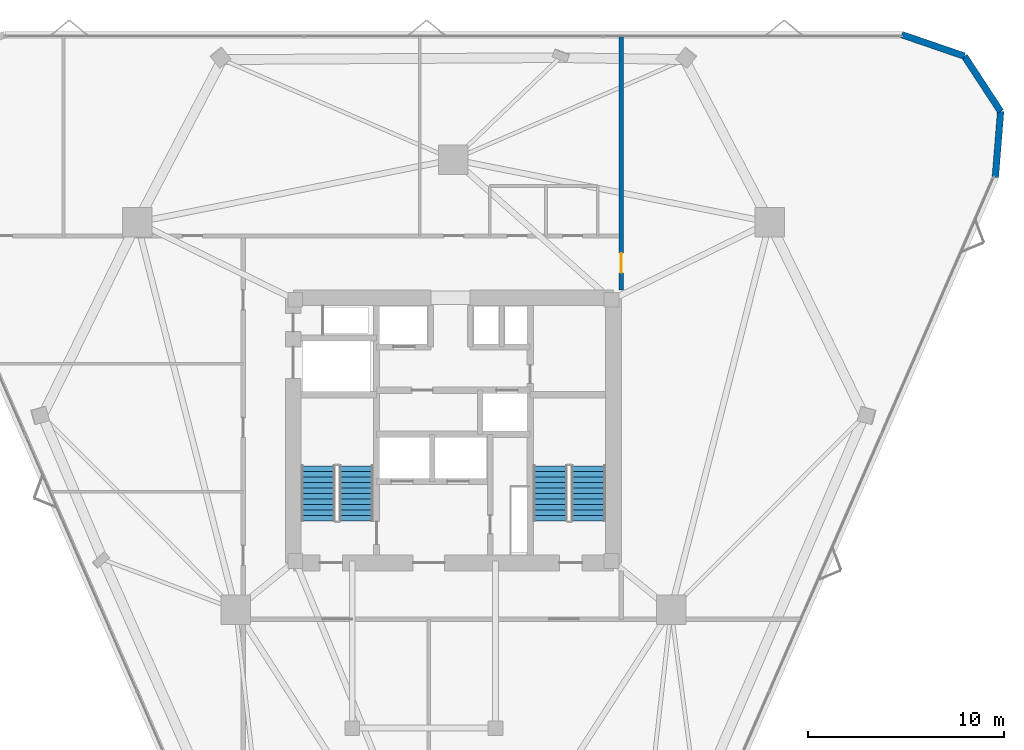
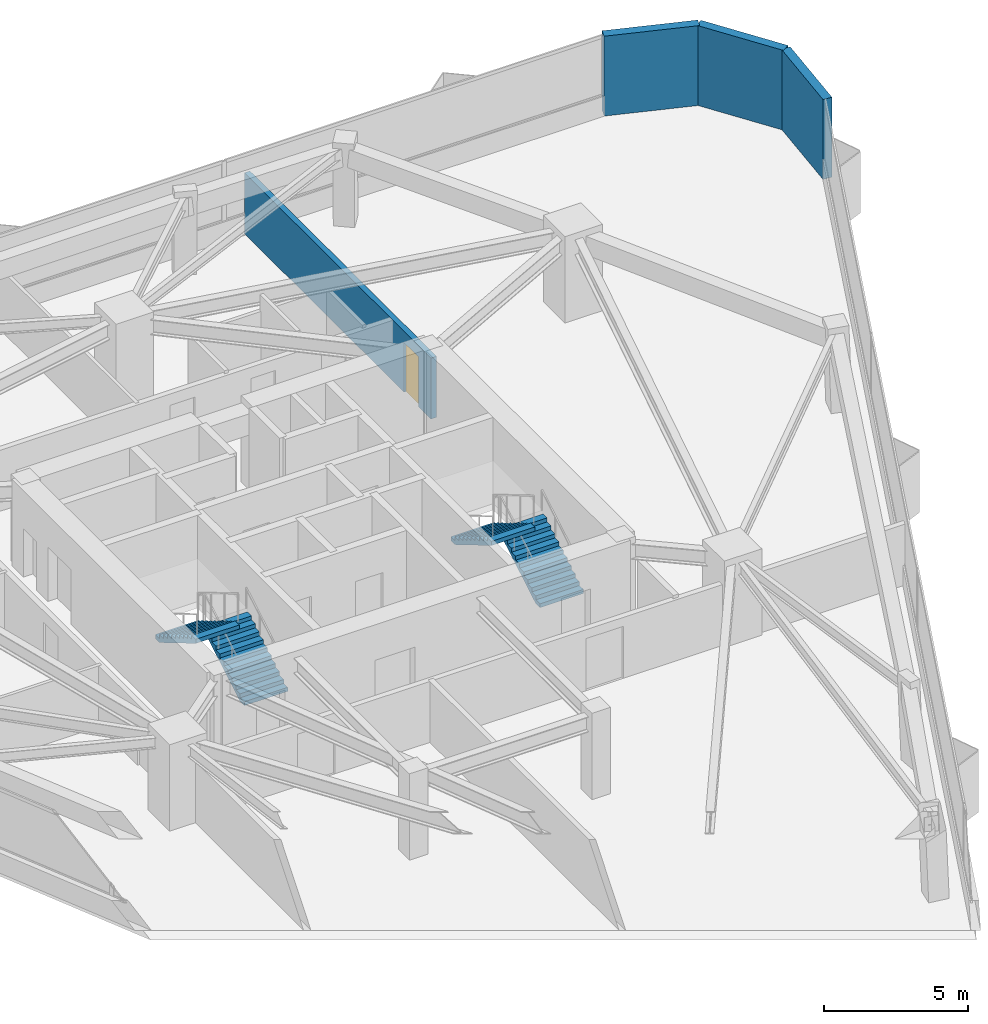
# One storey, part 10 of 11: 4 stair flights, 4 walls, 1 door, 1 opening, 2 elements without a shape of their own.
"""IFC4 building model written with IfcOpenShell, lengths in metres."""

from ifc_helpers import new_model, si_unit, direction, frame, frame_2d, origin, place, context, subcontext, project, spatial, polyline, rectangle, outline, extrude, material, layer, layer_set, type_object, element, fill, aggregate, save


model = new_model("IFC4")

# Units and contexts
model_context = context("Model", 3, precision=1e-05, world=origin(), true_north=direction((0.0, 1.0)))
body_context = subcontext(model_context, "Body", "Model", "MODEL_VIEW")
ifc_project = project(units=[si_unit("LENGTHUNIT", "METRE"), si_unit("AREAUNIT", "SQUARE_METRE"), si_unit("VOLUMEUNIT", "CUBIC_METRE"), si_unit("PLANEANGLEUNIT", "RADIAN"), si_unit("MASSUNIT", "GRAM", prefix="KILO")], contexts=[model_context])

# Site, building, storey
site_placement = place(None, origin())
site = spatial("IfcSite", under=ifc_project, at=site_placement, CompositionType="ELEMENT")
building_placement = place(site_placement, origin())
building = spatial("IfcBuilding", under=site, at=building_placement, Name="Talyreon Biosciences Tower", CompositionType="ELEMENT")
storey_placement = place(building_placement, frame((0.0, 0.0, 160.050048828125)))
storey = spatial("IfcBuildingStorey", under=building, at=storey_placement, Name="L42", CompositionType="ELEMENT", Elevation=160.050048828125)

# Wall, opening, door
ifc_material_1 = material(Name="Gypsum fireboard acoustic stud", Category="gypsum")
ifc_layer_1 = layer(ifc_material_1, 0.219970703125)
ifc_layer_set_1 = layer_set([ifc_layer_1], Name="Gypsum fireboard acoustic stud")
wall_type_1 = type_object("IfcWallType", Name="CorridorRatedPartition_220", PredefinedType="PARTITIONING", material=ifc_layer_set_1)
wall_placement = place(storey_placement, frame((74.550048828125, 75.14990234375, 0.0), z_axis=(0.0, 0.0, 1.0), x_axis=(0.0, 1.0, 0.0)))
wall = element("IfcWall", 1, at=wall_placement, inside=storey, type_object=wall_type_1, Name="L42 Interior Wall IW-L42-ECAP-N", PredefinedType="PARTITIONING", context=body_context, shape_type="SweptSolid", body=[
    extrude(rectangle(XDim=12.91748046875, YDim=0.219970703125, at=frame_2d((6.458740234375, 0.0))), origin(), (0.0, 0.0, 1.0), 2.574951171875),
])
opening_placement = place(wall_placement, frame((0.875, 0.0, 0.0)))
opening = element("IfcOpeningElement", 2, at=opening_placement, cuts=wall, Name="Opening DR-L42-E1A", PredefinedType="OPENING", context=body_context, shape_type="SweptSolid", body=[
    extrude(rectangle(XDim=1.0, YDim=2.10009765625, at=frame_2d((0.5, 1.050048828125))), frame((0.0, 0.119873046875, 0.0), z_axis=(0.0, -1.0, 0.0), x_axis=(1.0, 0.0, 0.0)), (0.0, 0.0, 1.0), 0.239990234375),
])
ifc_material_2 = material(Name="Acoustic oak veneer office door", Category="wood")
door_type = type_object("IfcDoorType", Name="WriteupOfficeDoor_1000x2100", OperationType="NOTDEFINED", PredefinedType="DOOR", material=ifc_material_2)
door_placement = place(opening_placement, origin())
door = element("IfcDoor", 3, at=door_placement, inside=storey, type_object=door_type, Name="L42 Interior Door DR-L42-E1A", OperationType="SINGLE_SWING_LEFT", OverallHeight=2.10009765625, OverallWidth=1.0, PredefinedType="DOOR", context=body_context, shape_type="SweptSolid", body=[
    extrude(rectangle(XDim=1.0, YDim=2.10009765625, at=frame_2d((0.5, 1.050048828125))), frame((0.0, 0.02490234375, 0.0), z_axis=(0.0, -1.0, 0.0), x_axis=(1.0, 0.0, 0.0)), (0.0, 0.0, 1.0), 0.050048828125),
])
fill(opening, door)

# Walls
ifc_material_3 = material(Name="Precast concrete C45/55", Category="concrete")
ifc_layer_2 = layer(ifc_material_3, 0.340087890625)
ifc_layer_set_2 = layer_set([ifc_layer_2], Name="Precast concrete C45/55")
wall_type_2 = type_object("IfcWallType", Name="PrecastConcreteSpandrelWall_340", PredefinedType="STANDARD", material=ifc_layer_set_2)
for number, where, z_axis, x_axis, name in (
    (4, (88.826904296875, 88.152587890625, 0.0), (0.0, 0.0, 1.0), (0.945941504684, -0.324337277717, 0.0), "L42 Rounded-Corner Concrete Pier 05"),
    (5, (92.017578125, 87.05859375, 0.0), (0.0, 0.0, 1.0), (0.547933698605, -0.836521764172, 0.0), "L42 Rounded-Corner Concrete Pier 06"),
    (6, (93.86572265625, 84.237060546875, 0.0), (0.0, 0.0, 1.0), (-0.080559330796, -0.99674981526, 0.0), "L42 Rounded-Corner Concrete Pier 07"),
):
    element("IfcWall", number, at=place(storey_placement, frame(where, z_axis=z_axis, x_axis=x_axis)), inside=storey, type_object=wall_type_2, Name=name, PredefinedType="STANDARD", context=body_context, shape_type="SweptSolid", body=[
        extrude(rectangle(XDim=3.373046875, YDim=0.340087890625, at=frame_2d((1.6865234375, 0.0))), origin(), (0.0, 0.0, 1.0), 3.375),
    ])

# Stair, stair flights
ifc_material_4 = material(Name="Concrete C40/50", Category="concrete")
stair_type = type_object("IfcStairType", Name="DoglegEscapeStair_3650", PredefinedType="HALF_TURN_STAIR", material=ifc_material_4)
stair_1_placement = place(storey_placement, origin())
stair_1 = element("IfcStair", 7, at=stair_1_placement, inside=storey, type_object=stair_type, Name="L42 Core Escape Stair 1", PredefinedType="HALF_TURN_STAIR")
stair_flight_type = type_object("IfcStairFlightType", Name="PrecastStairFlight_3650", PredefinedType="STRAIGHT", material=ifc_material_4)
stair_flight_1_placement = place(storey_placement, frame((61.06005859375, 63.39990234375, 0.0), z_axis=(0.0, 0.0, 1.0), x_axis=(0.0, 1.0, 0.0)))
stair_flight_1 = element("IfcStairFlight", 8, at=stair_flight_1_placement, type_object=stair_flight_type, Name="ST-1 flight 1", NumberOfRisers=11, NumberOfTreads=10, PredefinedType="STRAIGHT", RiserHeight=0.165909091, TreadLength=0.28, context=body_context, shape_type="SweptSolid", body=[
    extrude(outline(polyline([(0.0, 0.0), (0.0, 0.166015625), (0.280029296875, 0.166015625), (0.280029296875, 0.331787109375), (0.56005859375, 0.331787109375), (0.56005859375, 0.497802734375), (0.840087890625, 0.497802734375), (0.840087890625, 0.66357421875), (1.1201171875, 0.66357421875), (1.1201171875, 0.82958984375), (1.39990234375, 0.82958984375), (1.39990234375, 0.995361328125), (1.679931640625, 0.995361328125), (1.679931640625, 1.161376953125), (1.9599609375, 1.161376953125), (1.9599609375, 1.327392578125), (2.239990234375, 1.327392578125), (2.239990234375, 1.4931640625), (2.52001953125, 1.4931640625), (2.52001953125, 1.6591796875), (2.800048828125, 1.6591796875), (2.800048828125, 1.824951171875), (2.800048828125, 1.48486328125), (0.2939453125, 0.0), (0.0, 0.0)])), frame((0.0, 0.8701171875, 0.0), z_axis=(0.0, -1.0, 0.0), x_axis=(1.0, 0.0, 0.0)), (0.0, 0.0, 1.0), 1.739990234375),
])
stair_flight_2_placement = place(storey_placement, frame((59.1201171875, 66.199951171875, 1.824951171875), z_axis=(0.0, 0.0, 1.0), x_axis=(0.0, -1.0, 0.0)))
stair_flight_2 = element("IfcStairFlight", 9, at=stair_flight_2_placement, type_object=stair_flight_type, Name="ST-1 flight 2", NumberOfRisers=11, NumberOfTreads=10, PredefinedType="STRAIGHT", RiserHeight=0.165909091, TreadLength=0.28, context=body_context, shape_type="SweptSolid", body=[
    extrude(outline(polyline([(0.0, 0.0), (0.0, 0.166015625), (0.280029296875, 0.166015625), (0.280029296875, 0.331787109375), (0.56005859375, 0.331787109375), (0.56005859375, 0.497802734375), (0.840087890625, 0.497802734375), (0.840087890625, 0.66357421875), (1.1201171875, 0.66357421875), (1.1201171875, 0.82958984375), (1.39990234375, 0.82958984375), (1.39990234375, 0.995361328125), (1.679931640625, 0.995361328125), (1.679931640625, 1.161376953125), (1.9599609375, 1.161376953125), (1.9599609375, 1.327392578125), (2.239990234375, 1.327392578125), (2.239990234375, 1.4931640625), (2.52001953125, 1.4931640625), (2.52001953125, 1.6591796875), (2.800048828125, 1.6591796875), (2.800048828125, 1.824951171875), (2.800048828125, 1.48486328125), (0.2939453125, 0.0), (0.0, 0.0)])), frame((0.0, 0.8701171875, 0.0), z_axis=(0.0, -1.0, 0.0), x_axis=(1.0, 0.0, 0.0)), (0.0, 0.0, 1.0), 1.739990234375),
])
aggregate(stair_1, [stair_flight_1, stair_flight_2])

stair_2_placement = place(storey_placement, origin())
stair_2 = element("IfcStair", 10, at=stair_2_placement, inside=storey, type_object=stair_type, Name="L42 Core Escape Stair 2", PredefinedType="HALF_TURN_STAIR")
stair_flight_3_placement = place(storey_placement, frame((72.8798828125, 63.39990234375, 0.0), z_axis=(0.0, 0.0, 1.0), x_axis=(0.0, 1.0, 0.0)))
stair_flight_3 = element("IfcStairFlight", 11, at=stair_flight_3_placement, type_object=stair_flight_type, Name="ST-2 flight 1", NumberOfRisers=11, NumberOfTreads=10, PredefinedType="STRAIGHT", RiserHeight=0.165909091, TreadLength=0.28, context=body_context, shape_type="SweptSolid", body=[
    extrude(outline(polyline([(0.0, 0.0), (0.0, 0.166015625), (0.280029296875, 0.166015625), (0.280029296875, 0.331787109375), (0.56005859375, 0.331787109375), (0.56005859375, 0.497802734375), (0.840087890625, 0.497802734375), (0.840087890625, 0.66357421875), (1.1201171875, 0.66357421875), (1.1201171875, 0.82958984375), (1.39990234375, 0.82958984375), (1.39990234375, 0.995361328125), (1.679931640625, 0.995361328125), (1.679931640625, 1.161376953125), (1.9599609375, 1.161376953125), (1.9599609375, 1.327392578125), (2.239990234375, 1.327392578125), (2.239990234375, 1.4931640625), (2.52001953125, 1.4931640625), (2.52001953125, 1.6591796875), (2.800048828125, 1.6591796875), (2.800048828125, 1.824951171875), (2.800048828125, 1.48486328125), (0.2939453125, 0.0), (0.0, 0.0)])), frame((0.0, 0.8701171875, 0.0), z_axis=(0.0, -1.0, 0.0), x_axis=(1.0, 0.0, 0.0)), (0.0, 0.0, 1.0), 1.739990234375),
])
stair_flight_4_placement = place(storey_placement, frame((70.93994140625, 66.199951171875, 1.824951171875), z_axis=(0.0, 0.0, 1.0), x_axis=(0.0, -1.0, 0.0)))
stair_flight_4 = element("IfcStairFlight", 12, at=stair_flight_4_placement, type_object=stair_flight_type, Name="ST-2 flight 2", NumberOfRisers=11, NumberOfTreads=10, PredefinedType="STRAIGHT", RiserHeight=0.165909091, TreadLength=0.28, context=body_context, shape_type="SweptSolid", body=[
    extrude(outline(polyline([(0.0, 0.0), (0.0, 0.166015625), (0.280029296875, 0.166015625), (0.280029296875, 0.331787109375), (0.56005859375, 0.331787109375), (0.56005859375, 0.497802734375), (0.840087890625, 0.497802734375), (0.840087890625, 0.66357421875), (1.1201171875, 0.66357421875), (1.1201171875, 0.82958984375), (1.39990234375, 0.82958984375), (1.39990234375, 0.995361328125), (1.679931640625, 0.995361328125), (1.679931640625, 1.161376953125), (1.9599609375, 1.161376953125), (1.9599609375, 1.327392578125), (2.239990234375, 1.327392578125), (2.239990234375, 1.4931640625), (2.52001953125, 1.4931640625), (2.52001953125, 1.6591796875), (2.800048828125, 1.6591796875), (2.800048828125, 1.824951171875), (2.800048828125, 1.48486328125), (0.2939453125, 0.0), (0.0, 0.0)])), frame((0.0, 0.8701171875, 0.0), z_axis=(0.0, -1.0, 0.0), x_axis=(1.0, 0.0, 0.0)), (0.0, 0.0, 1.0), 1.739990234375),
])
aggregate(stair_2, [stair_flight_3, stair_flight_4])

save(model, "model.ifc")
